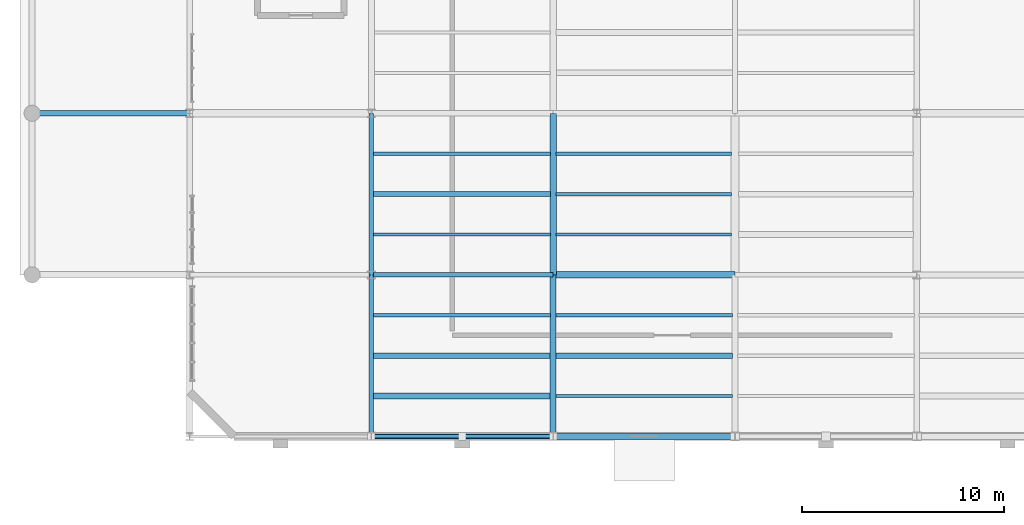
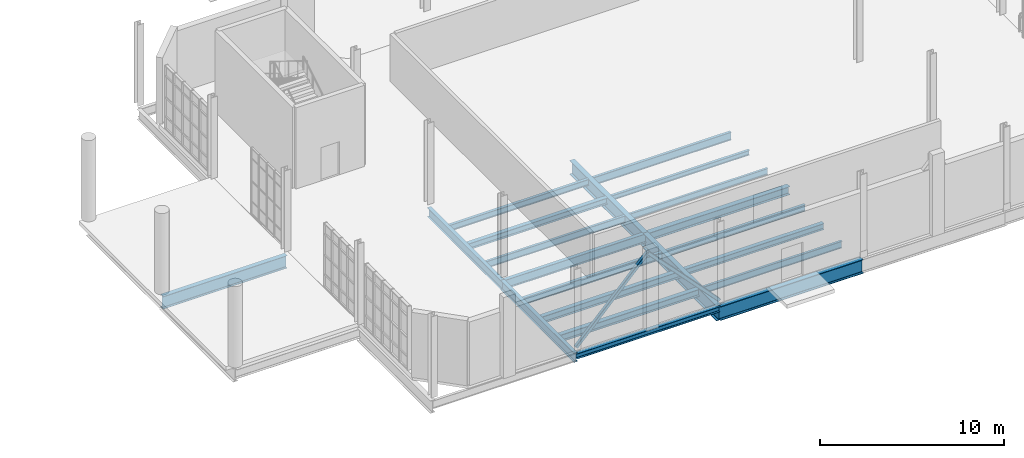
# One storey, part 16 of 189: 21 beams, 2 members.
"""IFC4 building model written with IfcOpenShell, lengths in metres."""

import ifcopenshell
import ifcopenshell.guid

model = None  # the IFC model being written
_history = None  # IfcOwnerHistory: only IFC2X3 demands one
_inside = {}  # id of a spatial element -> (the spatial element, [elements in it])
_under = {}  # id of a project, library or spatial element -> (it, [spatial elements below it])
_declared = {}  # id of a project -> (the project, [libraries it declares])
_typed = {}  # id of a type object -> (the type object, [elements of that type])
_made_of = {}  # id of a material, layer set ... -> (it, [elements and type objects made of it])


def new_model(schema):
    """Start an empty IFC model of exactly this schema.

    Asked for "IFC4X3", IfcOpenShell would pick the latest addendum, in which some entities
    have other attributes; the version numbers below select the first issue.
    IFC2X3 requires an IfcOwnerHistory on every rooted entity: one is made here for all.
    """
    global model, _history
    if schema == "IFC4X3":
        model = ifcopenshell.file(schema_version=(4, 3, 0, 0))
    else:
        model = ifcopenshell.file(schema=schema)
    _inside.clear()
    _under.clear()
    _declared.clear()
    _typed.clear()
    _made_of.clear()
    _history = None
    if model.schema == "IFC2X3":
        org = make("IfcOrganization", Name="unknown")
        user = make(
            "IfcPersonAndOrganization",
            ThePerson=make("IfcPerson", FamilyName="unknown"),
            TheOrganization=org,
        )
        app = make(
            "IfcApplication",
            ApplicationDeveloper=org,
            Version="unknown",
            ApplicationFullName="unknown",
            ApplicationIdentifier="unknown",
        )
        _history = make(
            "IfcOwnerHistory",
            OwningUser=user,
            OwningApplication=app,
            ChangeAction="ADDED",
            CreationDate=0,
        )
    return model


def make(cls, **values):
    """One entity of the class cls with the attributes given. An attribute that is None is left unset."""
    return model.create_entity(
        cls, **{name: value for name, value in values.items() if value is not None}
    )


def rooted(cls, **values):
    """An entity with a GlobalId (a new one), such as an element, a storey or a relation."""
    return make(cls, GlobalId=ifcopenshell.guid.new(), OwnerHistory=_history, **values)


def si_unit(unit_type, name, prefix=None):
    """IfcSIUnit, for example si_unit("LENGTHUNIT", "METRE", prefix="MILLI")."""
    return make("IfcSIUnit", UnitType=unit_type, Prefix=prefix, Name=name)


def assignment(units):
    """IfcUnitAssignment: the units of a project."""
    return None if units is None else make("IfcUnitAssignment", Units=units)


def point(xyz):
    """IfcCartesianPoint."""
    return None if xyz is None else make("IfcCartesianPoint", Coordinates=xyz)


def direction(xyz):
    """IfcDirection."""
    return None if xyz is None else make("IfcDirection", DirectionRatios=xyz)


def frame(location, z_axis=None, x_axis=None):
    """IfcAxis2Placement3D, a coordinate frame: its origin and axes. An axis left out is left unset."""
    return make(
        "IfcAxis2Placement3D",
        Location=point(location),
        Axis=direction(z_axis),
        RefDirection=direction(x_axis),
    )


def frame_2d(location, x_axis=None):
    """IfcAxis2Placement2D, a coordinate frame in the plane: its origin and x axis."""
    return make(
        "IfcAxis2Placement2D", Location=point(location), RefDirection=direction(x_axis)
    )


def origin():
    """The frame at (0, 0, 0) with its axes left unset."""
    return frame((0.0, 0.0, 0.0))


def origin_2d():
    """The frame at (0, 0) in the plane with its x axis left unset."""
    return frame_2d((0.0, 0.0))


def place(relative_to, where):
    """IfcLocalPlacement: puts the frame where relative to a parent placement (None: the world)."""
    return make(
        "IfcLocalPlacement", PlacementRelTo=relative_to, RelativePlacement=where
    )


def context(
    kind, dimensions, precision=None, world=None, true_north=None, identifier=None
):
    """IfcGeometricRepresentationContext, for example the 3D "Model" context."""
    return make(
        "IfcGeometricRepresentationContext",
        ContextIdentifier=identifier,
        ContextType=kind,
        CoordinateSpaceDimension=dimensions,
        Precision=precision,
        WorldCoordinateSystem=world,
        TrueNorth=true_north,
    )


def subcontext(parent, identifier, kind, view, scale=None):
    """IfcGeometricRepresentationSubContext, for example "Body" below "Model"."""
    return make(
        "IfcGeometricRepresentationSubContext",
        ContextIdentifier=identifier,
        ContextType=kind,
        ParentContext=parent,
        TargetScale=scale,
        TargetView=view,
    )


def project(units=None, contexts=None):
    """IfcProject with its units and contexts."""
    return rooted(
        "IfcProject",
        Name="project",
        RepresentationContexts=contexts,
        UnitsInContext=assignment(units),
    )


def spatial(cls, under=None, at=None, **own):
    """A site, building, storey or space (cls), placed at a placement, below another one or the project."""
    s = rooted(cls, ObjectPlacement=at, **own)
    if under is not None:
        _under.setdefault(under.id(), (under, []))[1].append(s)
    return s


def profile(cls, at=None, kind="AREA", **sizes):
    """A parametric profile (cls). Its sizes go by their IFC names, for example OverallWidth=200.0."""
    return make(cls, ProfileType=kind, Position=at, **sizes)


def hollow_rectangle(**sizes):
    """IfcRectangleHollowProfileDef."""
    return profile("IfcRectangleHollowProfileDef", **sizes)


def i_section(**sizes):
    """IfcIShapeProfileDef."""
    return profile("IfcIShapeProfileDef", **sizes)


def extrude(swept, where, along, depth):
    """IfcExtrudedAreaSolid: the profile swept, set in the frame where, extruded along a direction by depth."""
    return make(
        "IfcExtrudedAreaSolid",
        SweptArea=swept,
        Position=where,
        ExtrudedDirection=direction(along),
        Depth=depth,
    )


def shape(context_of_items, identifier, shape_type, items):
    """IfcShapeRepresentation: the items that make up one representation, for example the "Body"."""
    return make(
        "IfcShapeRepresentation",
        ContextOfItems=context_of_items,
        RepresentationIdentifier=identifier,
        RepresentationType=shape_type,
        Items=items,
    )


def material(Name=None, Category=None):
    """IfcMaterial."""
    return make("IfcMaterial", Name=Name, Category=Category)


def material_profile(
    of_material, cross_section, Name=None, Category=None, Priority=None
):
    """IfcMaterialProfile: a cross section and its material."""
    return make(
        "IfcMaterialProfile",
        Name=Name,
        Material=of_material,
        Profile=cross_section,
        Priority=Priority,
        Category=Category,
    )


def profile_set(profiles, Name=None, composite=None):
    """IfcMaterialProfileSet."""
    return make(
        "IfcMaterialProfileSet",
        Name=Name,
        MaterialProfiles=profiles,
        CompositeProfile=composite,
    )


def made_of(thing, what):
    """Note that an element or type object is made of a material, layer set ...; save() writes the relation."""
    if what is not None:
        _made_of.setdefault(what.id(), (what, []))[1].append(thing)
    return thing


def type_object(cls, material=None, **own):
    """A type object (cls), such as IfcWallType, which elements share."""
    return made_of(rooted(cls, **own), material)


def element(
    cls,
    number,
    at=None,
    inside=None,
    cuts=None,
    type_object=None,
    material=None,
    context=None,
    identifier="Body",
    shape_type=None,
    held_by="IfcProductDefinitionShape",
    body=None,
    shapes=None,
    **own,
):
    """One element of the class cls, such as IfcWall. Its Tag is "e" and its number.

    at: its placement. inside: the storey or other place that contains it. cuts: it is an
    opening in that element (IfcRelVoidsElement). A single representation is given by context,
    identifier, shape_type and body (its items); several are given by shapes. held_by: the class
    of the entity that holds the representations. save() writes the other relations.
    """
    e = rooted(cls, Tag="e%d" % number, ObjectPlacement=at, **own)
    if body is not None:
        shapes = [shape(context, identifier, shape_type, body)]
    if shapes is not None:
        e.Representation = make(held_by, Representations=shapes)
    if inside is not None:
        _inside.setdefault(inside.id(), (inside, []))[1].append(e)
    if cuts is not None:
        rooted(
            "IfcRelVoidsElement", RelatingBuildingElement=cuts, RelatedOpeningElement=e
        )
    if type_object is not None:
        _typed.setdefault(type_object.id(), (type_object, []))[1].append(e)
    return made_of(e, material)


def aggregate(whole, parts):
    """IfcRelAggregates: a whole, such as a stair, and the parts it consists of."""
    return rooted("IfcRelAggregates", RelatingObject=whole, RelatedObjects=parts)


def save(model, path):
    """Write the relations noted so far, then the file.

    IfcRelAggregates (storeys below a building ...), IfcRelContainedInSpatialStructure (elements
    in a storey), IfcRelDefinesByType, IfcRelAssociatesMaterial and IfcRelDeclares: one each for
    every whole, place, type object, material and project.
    """
    for whole, parts in _under.values():
        aggregate(whole, parts)
    for where, things in _inside.values():
        rooted(
            "IfcRelContainedInSpatialStructure",
            RelatedElements=things,
            RelatingStructure=where,
        )
    for kind, things in _typed.values():
        rooted("IfcRelDefinesByType", RelatedObjects=things, RelatingType=kind)
    for what, things in _made_of.values():
        rooted("IfcRelAssociatesMaterial", RelatedObjects=things, RelatingMaterial=what)
    for by, libraries in _declared.values():
        rooted("IfcRelDeclares", RelatingContext=by, RelatedDefinitions=libraries)
    model.write(path)


model = new_model("IFC4")

# Units and contexts
model_context = context("Model", 3, precision=1e-05, world=origin(), true_north=direction((0.0, 1.0)))
body_context = subcontext(model_context, "Body", "Model", "MODEL_VIEW")
ifc_project = project(units=[si_unit("LENGTHUNIT", "METRE"), si_unit("AREAUNIT", "SQUARE_METRE"), si_unit("VOLUMEUNIT", "CUBIC_METRE"), si_unit("PLANEANGLEUNIT", "RADIAN"), si_unit("MASSUNIT", "GRAM", prefix="KILO"), si_unit("THERMODYNAMICTEMPERATUREUNIT", "KELVIN"), si_unit("POWERUNIT", "WATT")], contexts=[model_context])

# Site, building, storey
site_placement = place(None, origin())
site = spatial("IfcSite", under=ifc_project, at=site_placement, CompositionType="ELEMENT")
building_placement = place(site_placement, origin())
building = spatial("IfcBuilding", under=site, at=building_placement, Name="Zelmaris Science Centre", CompositionType="ELEMENT")
storey_placement = place(building_placement, origin())
storey = spatial("IfcBuildingStorey", under=building, at=storey_placement, Name="L00", CompositionType="ELEMENT", Elevation=0.0)

# Beams
ifc_material_1 = material(Name="Steel ASTM A992 Grade 50", Category="steel")
ifc_material_profile_1 = material_profile(ifc_material_1, i_section(OverallWidth=0.306884765625, OverallDepth=0.927001953125, WebThickness=0.019287109375, FlangeThickness=0.031982421875, FilletRadius=0.02392578125, at=origin_2d()), Name="W36X194")
ifc_profile_set_1 = profile_set([ifc_material_profile_1], Name="Steel ASTM A992 Grade 50")
beam_type_1 = type_object("IfcBeamType", Name="Beam G-03 W36X194", PredefinedType="BEAM", material=ifc_profile_set_1)
beam_1_placement = place(storey_placement, frame((27.0, 8.0, -0.7734375), z_axis=(1.0, 0.0, 0.0), x_axis=(0.0, 1.0, 0.0)))
element("IfcBeam", 1, at=beam_1_placement, inside=storey, type_object=beam_type_1, Name="L00 East-west girder 93", PredefinedType="BEAM", context=body_context, shape_type="SweptSolid", body=[
    extrude(i_section(OverallWidth=0.306884765625, OverallDepth=0.927001953125, WebThickness=0.019287109375, FlangeThickness=0.031982421875, FilletRadius=0.02392578125, at=origin_2d()), origin(), (0.0, 0.0, 1.0), 9.0),
])
ifc_material_profile_2 = material_profile(ifc_material_1, i_section(OverallWidth=0.22900390625, OverallDepth=0.612060546875, WebThickness=0.011962890625, FlangeThickness=0.01953125, FilletRadius=0.014892578125, at=origin_2d()), Name="W24X84")
ifc_profile_set_2 = profile_set([ifc_material_profile_2], Name="Steel ASTM A992 Grade 50")
beam_type_2 = type_object("IfcBeamType", Name="Beam G-16 W24X84", PredefinedType="BEAM", material=ifc_profile_set_2)
beam_2_placement = place(storey_placement, frame((18.0, 8.0, -0.615966796875), z_axis=(0.0, 1.0, 0.0), x_axis=(-1.0, 0.0, 0.0)))
element("IfcBeam", 2, at=beam_2_placement, inside=storey, type_object=beam_type_2, Name="L00 North-south girder 9", PredefinedType="BEAM", context=body_context, shape_type="SweptSolid", body=[
    extrude(i_section(OverallWidth=0.22900390625, OverallDepth=0.612060546875, WebThickness=0.011962890625, FlangeThickness=0.01953125, FilletRadius=0.014892578125, at=origin_2d()), origin(), (0.0, 0.0, 1.0), 8.0),
])
ifc_material_profile_3 = material_profile(ifc_material_1, i_section(OverallWidth=0.22900390625, OverallDepth=0.60205078125, WebThickness=0.010498046875, FlangeThickness=0.014892578125, FilletRadius=0.014892578125, at=origin_2d()), Name="W24X68")
ifc_profile_set_3 = profile_set([ifc_material_profile_3], Name="Steel ASTM A992 Grade 50")
beam_type_3 = type_object("IfcBeamType", Name="Beam G-17 W24X68", PredefinedType="BEAM", material=ifc_profile_set_3)
beam_3_placement = place(storey_placement, frame((18.0, 16.0, -0.611083984375), z_axis=(0.0, 1.0, 0.0), x_axis=(-1.0, 0.0, 0.0)))
element("IfcBeam", 3, at=beam_3_placement, inside=storey, type_object=beam_type_3, Name="L00 North-south girder 10", PredefinedType="BEAM", context=body_context, shape_type="SweptSolid", body=[
    extrude(i_section(OverallWidth=0.22900390625, OverallDepth=0.60205078125, WebThickness=0.010498046875, FlangeThickness=0.014892578125, FilletRadius=0.014892578125, at=origin_2d()), origin(), (0.0, 0.0, 1.0), 8.0),
])
beam_4_placement = place(storey_placement, frame((18.0, 16.0, -0.611083984375), z_axis=(1.0, 0.0, 0.0), x_axis=(0.0, 1.0, 0.0)))
element("IfcBeam", 4, at=beam_4_placement, inside=storey, type_object=beam_type_3, Name="L00 East-west girder 103", PredefinedType="BEAM", context=body_context, shape_type="SweptSolid", body=[
    extrude(i_section(OverallWidth=0.22900390625, OverallDepth=0.60205078125, WebThickness=0.010498046875, FlangeThickness=0.014892578125, FilletRadius=0.014892578125, at=origin_2d()), origin(), (0.0, 0.0, 1.0), 9.0),
])
ifc_material_profile_4 = material_profile(ifc_material_1, i_section(OverallWidth=0.31201171875, OverallDepth=0.5439453125, WebThickness=0.0126953125, FlangeThickness=0.020263671875, FilletRadius=0.013916015625, at=origin_2d()), Name="W21X101")
ifc_profile_set_4 = profile_set([ifc_material_profile_4], Name="Steel ASTM A992 Grade 50")
beam_type_4 = type_object("IfcBeamType", Name="Beam G-18 W21X101", PredefinedType="BEAM", material=ifc_profile_set_4)
beam_5_placement = place(storey_placement, frame((27.0, 16.0, -0.58203125), z_axis=(1.0, 0.0, 0.0), x_axis=(0.0, 1.0, 0.0)))
element("IfcBeam", 5, at=beam_5_placement, inside=storey, type_object=beam_type_4, Name="L00 East-west girder 104", PredefinedType="BEAM", context=body_context, shape_type="SweptSolid", body=[
    extrude(i_section(OverallWidth=0.31201171875, OverallDepth=0.5439453125, WebThickness=0.0126953125, FlangeThickness=0.020263671875, FilletRadius=0.013916015625, at=origin_2d()), origin(), (0.0, 0.0, 1.0), 9.0),
])
ifc_material_profile_5 = material_profile(ifc_material_1, i_section(OverallWidth=0.300048828125, OverallDepth=0.990966796875, WebThickness=0.0166015625, FlangeThickness=0.030517578125, FilletRadius=0.02490234375, at=origin_2d()), Name="W40X183")
ifc_profile_set_5 = profile_set([ifc_material_profile_5], Name="Steel ASTM A992 Grade 50")
beam_type_5 = type_object("IfcBeamType", Name="Beam G-24 W40X183", PredefinedType="BEAM", material=ifc_profile_set_5)
beam_6_placement = place(storey_placement, frame((27.0, 8.0, -0.805419921875), z_axis=(0.0, 1.0, 0.0), x_axis=(-1.0, 0.0, 0.0)))
element("IfcBeam", 6, at=beam_6_placement, inside=storey, type_object=beam_type_5, Name="L00 North-south girder 13", PredefinedType="BEAM", context=body_context, shape_type="SweptSolid", body=[
    extrude(i_section(OverallWidth=0.300048828125, OverallDepth=0.990966796875, WebThickness=0.0166015625, FlangeThickness=0.030517578125, FilletRadius=0.02490234375, at=origin_2d()), origin(), (0.0, 0.0, 1.0), 8.0),
])
ifc_material_profile_6 = material_profile(ifc_material_1, i_section(OverallWidth=0.31005859375, OverallDepth=0.931884765625, WebThickness=0.02099609375, FlangeThickness=0.034423828125, FilletRadius=0.02392578125, at=origin_2d()), Name="W36X210")
ifc_profile_set_6 = profile_set([ifc_material_profile_6], Name="Steel ASTM A992 Grade 50")
beam_type_6 = type_object("IfcBeamType", Name="Beam G-25 W36X210", PredefinedType="BEAM", material=ifc_profile_set_6)
beam_7_placement = place(storey_placement, frame((27.0, 16.0, -0.77587890625), z_axis=(0.0, 1.0, 0.0), x_axis=(-1.0, 0.0, 0.0)))
element("IfcBeam", 7, at=beam_7_placement, inside=storey, type_object=beam_type_6, Name="L00 North-south girder 14", PredefinedType="BEAM", context=body_context, shape_type="SweptSolid", body=[
    extrude(i_section(OverallWidth=0.31005859375, OverallDepth=0.931884765625, WebThickness=0.02099609375, FlangeThickness=0.034423828125, FilletRadius=0.02392578125, at=origin_2d()), origin(), (0.0, 0.0, 1.0), 8.0),
])
ifc_material_profile_7 = material_profile(ifc_material_1, i_section(OverallWidth=0.2919921875, OverallDepth=0.8359375, WebThickness=0.013916015625, FlangeThickness=0.018798828125, FilletRadius=0.02001953125, at=origin_2d()), Name="W33X118")
ifc_profile_set_7 = profile_set([ifc_material_profile_7], Name="Steel ASTM A992 Grade 50")
beam_type_7 = type_object("IfcBeamType", Name="Beam G-30 W33X118", PredefinedType="BEAM", material=ifc_profile_set_7)
beam_8_placement = place(storey_placement, frame((1.199951171875, 24.0, -0.72802734375), z_axis=(1.0, 0.0, 0.0), x_axis=(0.0, 1.0, 0.0)))
element("IfcBeam", 8, at=beam_8_placement, inside=storey, type_object=beam_type_7, Name="L00 East-west girder 112", PredefinedType="BEAM", context=body_context, shape_type="SweptSolid", body=[
    extrude(i_section(OverallWidth=0.2919921875, OverallDepth=0.8359375, WebThickness=0.013916015625, FlangeThickness=0.018798828125, FilletRadius=0.02001953125, at=origin_2d()), origin(), (0.0, 0.0, 1.0), 7.800048828125),
])
ifc_material_profile_8 = material_profile(ifc_material_1, i_section(OverallWidth=0.25390625, OverallDepth=0.35595703125, WebThickness=0.010498046875, FlangeThickness=0.018310546875, FilletRadius=0.014892578125, at=origin_2d()), Name="W14X68")
ifc_profile_set_8 = profile_set([ifc_material_profile_8], Name="Steel ASTM A992 Grade 50")
beam_type_8 = type_object("IfcBeamType", Name="Beam G-41 W14X68", PredefinedType="BEAM", material=ifc_profile_set_8)
beam_9_placement = place(storey_placement, frame((18.0, 8.0, -0.488037109375), z_axis=(1.0, 0.0, 0.0), x_axis=(0.0, 1.0, 0.0)))
element("IfcBeam", 9, at=beam_9_placement, inside=storey, type_object=beam_type_8, Name="L00 East-west girder 92", PredefinedType="BEAM", context=body_context, shape_type="SweptSolid", body=[
    extrude(i_section(OverallWidth=0.25390625, OverallDepth=0.35595703125, WebThickness=0.010498046875, FlangeThickness=0.018310546875, FilletRadius=0.014892578125, at=origin_2d()), origin(), (0.0, 0.0, 1.0), 9.0),
])
ifc_material_profile_9 = material_profile(ifc_material_1, i_section(OverallWidth=0.16796875, OverallDepth=0.532958984375, WebThickness=0.01025390625, FlangeThickness=0.0166015625, FilletRadius=0.013916015625, at=origin_2d()), Name="W21X57")
ifc_profile_set_9 = profile_set([ifc_material_profile_9], Name="Steel ASTM A992 Grade 50")
beam_type_9 = type_object("IfcBeamType", Name="Beam J-01 W21X57", PredefinedType="JOIST", material=ifc_profile_set_9)
beam_10_placement = place(storey_placement, frame((27.139892578125, 22.0, -0.576416015625), z_axis=(1.0, 0.0, 0.0), x_axis=(0.0, 1.0, 0.0)))
element("IfcBeam", 10, at=beam_10_placement, inside=storey, type_object=beam_type_9, Name="L00 Composite floor joist 18", PredefinedType="JOIST", context=body_context, shape_type="SweptSolid", body=[
    extrude(i_section(OverallWidth=0.16796875, OverallDepth=0.532958984375, WebThickness=0.01025390625, FlangeThickness=0.0166015625, FilletRadius=0.013916015625, at=origin_2d()), origin(), (0.0, 0.0, 1.0), 8.6845703125),
])
ifc_material_profile_10 = material_profile(ifc_material_1, i_section(OverallWidth=0.281982421875, OverallDepth=0.471923828125, WebThickness=0.013671875, FlangeThickness=0.022216796875, FilletRadius=0.012939453125, at=origin_2d()), Name="W18X97")
ifc_profile_set_10 = profile_set([ifc_material_profile_10], Name="Steel ASTM A992 Grade 50")
beam_type_10 = type_object("IfcBeamType", Name="Beam J-02 W18X97", PredefinedType="JOIST", material=ifc_profile_set_10)
beam_11_placement = place(storey_placement, frame((18.099609375, 10.0, -0.5458984375), z_axis=(1.0, 0.0, 0.0), x_axis=(0.0, 1.0, 0.0)))
element("IfcBeam", 11, at=beam_11_placement, inside=storey, type_object=beam_type_10, Name="L00 Composite floor joist 1", PredefinedType="JOIST", context=body_context, shape_type="SweptSolid", body=[
    extrude(i_section(OverallWidth=0.281982421875, OverallDepth=0.471923828125, WebThickness=0.013671875, FlangeThickness=0.022216796875, FilletRadius=0.012939453125, at=origin_2d()), origin(), (0.0, 0.0, 1.0), 8.765380859375),
])
ifc_material_profile_11 = material_profile(ifc_material_1, i_section(OverallWidth=0.279052734375, OverallDepth=0.4619140625, WebThickness=0.0107421875, FlangeThickness=0.017333984375, FilletRadius=0.012939453125, at=origin_2d()), Name="W18X76")
ifc_profile_set_11 = profile_set([ifc_material_profile_11], Name="Steel ASTM A992 Grade 50")
beam_type_11 = type_object("IfcBeamType", Name="Beam J-03 W18X76", PredefinedType="JOIST", material=ifc_profile_set_11)
beam_12_placement = place(storey_placement, frame((18.099609375, 12.0, -0.541015625), z_axis=(1.0, 0.0, 0.0), x_axis=(0.0, 1.0, 0.0)))
element("IfcBeam", 12, at=beam_12_placement, inside=storey, type_object=beam_type_11, Name="L00 Composite floor joist 2", PredefinedType="JOIST", context=body_context, shape_type="SweptSolid", body=[
    extrude(i_section(OverallWidth=0.279052734375, OverallDepth=0.4619140625, WebThickness=0.0107421875, FlangeThickness=0.017333984375, FilletRadius=0.012939453125, at=origin_2d()), origin(), (0.0, 0.0, 1.0), 8.765380859375),
])
ifc_material_profile_12 = material_profile(ifc_material_1, i_section(OverallWidth=0.19091796875, OverallDepth=0.4599609375, WebThickness=0.010009765625, FlangeThickness=0.01611328125, FilletRadius=0.012939453125, at=origin_2d()), Name="W18X55")
ifc_profile_set_12 = profile_set([ifc_material_profile_12], Name="Steel ASTM A992 Grade 50")
beam_type_12 = type_object("IfcBeamType", Name="Beam J-04 W18X55", PredefinedType="JOIST", material=ifc_profile_set_12)
beam_13_placement = place(storey_placement, frame((18.099609375, 14.0, -0.5400390625), z_axis=(1.0, 0.0, 0.0), x_axis=(0.0, 1.0, 0.0)))
element("IfcBeam", 13, at=beam_13_placement, inside=storey, type_object=beam_type_12, Name="L00 Composite floor joist 3", PredefinedType="JOIST", context=body_context, shape_type="SweptSolid", body=[
    extrude(i_section(OverallWidth=0.19091796875, OverallDepth=0.4599609375, WebThickness=0.010009765625, FlangeThickness=0.01611328125, FilletRadius=0.012939453125, at=origin_2d()), origin(), (0.0, 0.0, 1.0), 8.765380859375),
])
ifc_material_profile_13 = material_profile(ifc_material_1, i_section(OverallWidth=0.152099609375, OverallDepth=0.455078125, WebThickness=0.008056640625, FlangeThickness=0.01318359375, FilletRadius=0.012939453125, at=origin_2d()), Name="W18X40")
ifc_profile_set_13 = profile_set([ifc_material_profile_13], Name="Steel ASTM A992 Grade 50")
beam_type_13 = type_object("IfcBeamType", Name="Beam J-05 W18X40", PredefinedType="JOIST", material=ifc_profile_set_13)
beam_14_placement = place(storey_placement, frame((18.099609375, 18.0, -0.53759765625), z_axis=(1.0, 0.0, 0.0), x_axis=(0.0, 1.0, 0.0)))
element("IfcBeam", 14, at=beam_14_placement, inside=storey, type_object=beam_type_13, Name="L00 Composite floor joist 4", PredefinedType="JOIST", context=body_context, shape_type="SweptSolid", body=[
    extrude(i_section(OverallWidth=0.152099609375, OverallDepth=0.455078125, WebThickness=0.008056640625, FlangeThickness=0.01318359375, FilletRadius=0.012939453125, at=origin_2d()), origin(), (0.0, 0.0, 1.0), 8.760498046875),
])
beam_15_placement = place(storey_placement, frame((27.135009765625, 10.0, -0.53759765625), z_axis=(1.0, 0.0, 0.0), x_axis=(0.0, 1.0, 0.0)))
element("IfcBeam", 15, at=beam_15_placement, inside=storey, type_object=beam_type_13, Name="L00 Composite floor joist 13", PredefinedType="JOIST", context=body_context, shape_type="SweptSolid", body=[
    extrude(i_section(OverallWidth=0.152099609375, OverallDepth=0.455078125, WebThickness=0.008056640625, FlangeThickness=0.01318359375, FilletRadius=0.012939453125, at=origin_2d()), origin(), (0.0, 0.0, 1.0), 8.73388671875),
])
ifc_material_profile_14 = material_profile(ifc_material_1, i_section(OverallWidth=0.260009765625, OverallDepth=0.4140625, WebThickness=0.010009765625, FlangeThickness=0.016845703125, FilletRadius=0.011962890625, at=origin_2d()), Name="W16X67")
ifc_profile_set_14 = profile_set([ifc_material_profile_14], Name="Steel ASTM A992 Grade 50")
beam_type_14 = type_object("IfcBeamType", Name="Beam J-06 W16X67", PredefinedType="JOIST", material=ifc_profile_set_14)
beam_16_placement = place(storey_placement, frame((18.099609375, 20.0, -0.51708984375), z_axis=(1.0, 0.0, 0.0), x_axis=(0.0, 1.0, 0.0)))
element("IfcBeam", 16, at=beam_16_placement, inside=storey, type_object=beam_type_14, Name="L00 Composite floor joist 5", PredefinedType="JOIST", context=body_context, shape_type="SweptSolid", body=[
    extrude(i_section(OverallWidth=0.260009765625, OverallDepth=0.4140625, WebThickness=0.010009765625, FlangeThickness=0.016845703125, FilletRadius=0.011962890625, at=origin_2d()), origin(), (0.0, 0.0, 1.0), 8.760498046875),
])
beam_17_placement = place(storey_placement, frame((27.135009765625, 12.0, -0.51708984375), z_axis=(1.0, 0.0, 0.0), x_axis=(0.0, 1.0, 0.0)))
element("IfcBeam", 17, at=beam_17_placement, inside=storey, type_object=beam_type_14, Name="L00 Composite floor joist 14", PredefinedType="JOIST", context=body_context, shape_type="SweptSolid", body=[
    extrude(i_section(OverallWidth=0.260009765625, OverallDepth=0.4140625, WebThickness=0.010009765625, FlangeThickness=0.016845703125, FilletRadius=0.011962890625, at=origin_2d()), origin(), (0.0, 0.0, 1.0), 8.73388671875),
])
ifc_material_profile_15 = material_profile(ifc_material_1, i_section(OverallWidth=0.177978515625, OverallDepth=0.408935546875, WebThickness=0.0087890625, FlangeThickness=0.014404296875, FilletRadius=0.011962890625, at=origin_2d()), Name="W16X45")
ifc_profile_set_15 = profile_set([ifc_material_profile_15], Name="Steel ASTM A992 Grade 50")
beam_type_15 = type_object("IfcBeamType", Name="Beam J-07 W16X45", PredefinedType="JOIST", material=ifc_profile_set_15)
beam_18_placement = place(storey_placement, frame((18.099609375, 22.0, -0.514404296875), z_axis=(1.0, 0.0, 0.0), x_axis=(0.0, 1.0, 0.0)))
element("IfcBeam", 18, at=beam_18_placement, inside=storey, type_object=beam_type_15, Name="L00 Composite floor joist 6", PredefinedType="JOIST", context=body_context, shape_type="SweptSolid", body=[
    extrude(i_section(OverallWidth=0.177978515625, OverallDepth=0.408935546875, WebThickness=0.0087890625, FlangeThickness=0.014404296875, FilletRadius=0.011962890625, at=origin_2d()), origin(), (0.0, 0.0, 1.0), 8.760498046875),
])
beam_19_placement = place(storey_placement, frame((27.135009765625, 14.0, -0.514404296875), z_axis=(1.0, 0.0, 0.0), x_axis=(0.0, 1.0, 0.0)))
element("IfcBeam", 19, at=beam_19_placement, inside=storey, type_object=beam_type_15, Name="L00 Composite floor joist 15", PredefinedType="JOIST", context=body_context, shape_type="SweptSolid", body=[
    extrude(i_section(OverallWidth=0.177978515625, OverallDepth=0.408935546875, WebThickness=0.0087890625, FlangeThickness=0.014404296875, FilletRadius=0.011962890625, at=origin_2d()), origin(), (0.0, 0.0, 1.0), 8.73388671875),
])
ifc_material_profile_16 = material_profile(ifc_material_1, i_section(OverallWidth=0.139892578125, OverallDepth=0.404052734375, WebThickness=0.007080078125, FlangeThickness=0.01123046875, FilletRadius=0.011962890625, at=origin_2d()), Name="W16X31")
ifc_profile_set_16 = profile_set([ifc_material_profile_16], Name="Steel ASTM A992 Grade 50")
beam_type_16 = type_object("IfcBeamType", Name="Beam J-08 W16X31", PredefinedType="JOIST", material=ifc_profile_set_16)
beam_20_placement = place(storey_placement, frame((27.139892578125, 18.0, -0.511962890625), z_axis=(1.0, 0.0, 0.0), x_axis=(0.0, 1.0, 0.0)))
element("IfcBeam", 20, at=beam_20_placement, inside=storey, type_object=beam_type_16, Name="L00 Composite floor joist 16", PredefinedType="JOIST", context=body_context, shape_type="SweptSolid", body=[
    extrude(i_section(OverallWidth=0.139892578125, OverallDepth=0.404052734375, WebThickness=0.007080078125, FlangeThickness=0.01123046875, FilletRadius=0.011962890625, at=origin_2d()), origin(), (0.0, 0.0, 1.0), 8.6845703125),
])
ifc_material_profile_17 = material_profile(ifc_material_1, i_section(OverallWidth=0.1669921875, OverallDepth=0.318115234375, WebThickness=0.007568359375, FlangeThickness=0.01318359375, FilletRadius=0.011962890625, at=origin_2d()), Name="W12X35")
ifc_profile_set_17 = profile_set([ifc_material_profile_17], Name="Steel ASTM A992 Grade 50")
beam_type_17 = type_object("IfcBeamType", Name="Beam J-09 W12X35", PredefinedType="JOIST", material=ifc_profile_set_17)
beam_21_placement = place(storey_placement, frame((27.139892578125, 20.0, -0.468994140625), z_axis=(1.0, 0.0, 0.0), x_axis=(0.0, 1.0, 0.0)))
element("IfcBeam", 21, at=beam_21_placement, inside=storey, type_object=beam_type_17, Name="L00 Composite floor joist 17", PredefinedType="JOIST", context=body_context, shape_type="SweptSolid", body=[
    extrude(i_section(OverallWidth=0.1669921875, OverallDepth=0.318115234375, WebThickness=0.007568359375, FlangeThickness=0.01318359375, FilletRadius=0.011962890625, at=origin_2d()), origin(), (0.0, 0.0, 1.0), 8.6845703125),
])

# Members
ifc_material_2 = material(Name="Steel ASTM A500 Grade C", Category="steel")
ifc_material_profile_18 = material_profile(ifc_material_2, hollow_rectangle(XDim=0.203125, YDim=0.203125, WallThickness=0.01171875, InnerFilletRadius=0.01171875, OuterFilletRadius=0.023681640625, at=origin_2d()), Name="HSS203X203X13")
ifc_profile_set_18 = profile_set([ifc_material_profile_18], Name="Steel ASTM A500 Grade C")
member_type = type_object("IfcMemberType", Name="Structural Brace BR-02 HSS203X203X13", PredefinedType="BRACE", material=ifc_profile_set_18)
for number, where, z_axis, x_axis, name in (
    (22, (18.0, 8.0, 0.080078125), (0.690040218266, 0.0, 0.723771025377), (0.0, 1.0, 0.0), "L00 Chevron brace BRF-V3S1 left"),
    (23, (27.0, 8.0, 0.080078125), (-0.690040218266, 0.0, 0.723771025377), (0.0, -1.0, 0.0), "L00 Chevron brace BRF-V3S1 right"),
):
    element("IfcMember", number, at=place(storey_placement, frame(where, z_axis=z_axis, x_axis=x_axis)), inside=storey, type_object=member_type, Name=name, PredefinedType="BRACE", context=body_context, shape_type="SweptSolid", body=[
        extrude(hollow_rectangle(XDim=0.203125, YDim=0.203125, WallThickness=0.01171875, InnerFilletRadius=0.01171875, OuterFilletRadius=0.023681640625, at=origin_2d()), origin(), (0.0, 0.0, 1.0), 6.521240234375),
    ])

save(model, "model.ifc")
